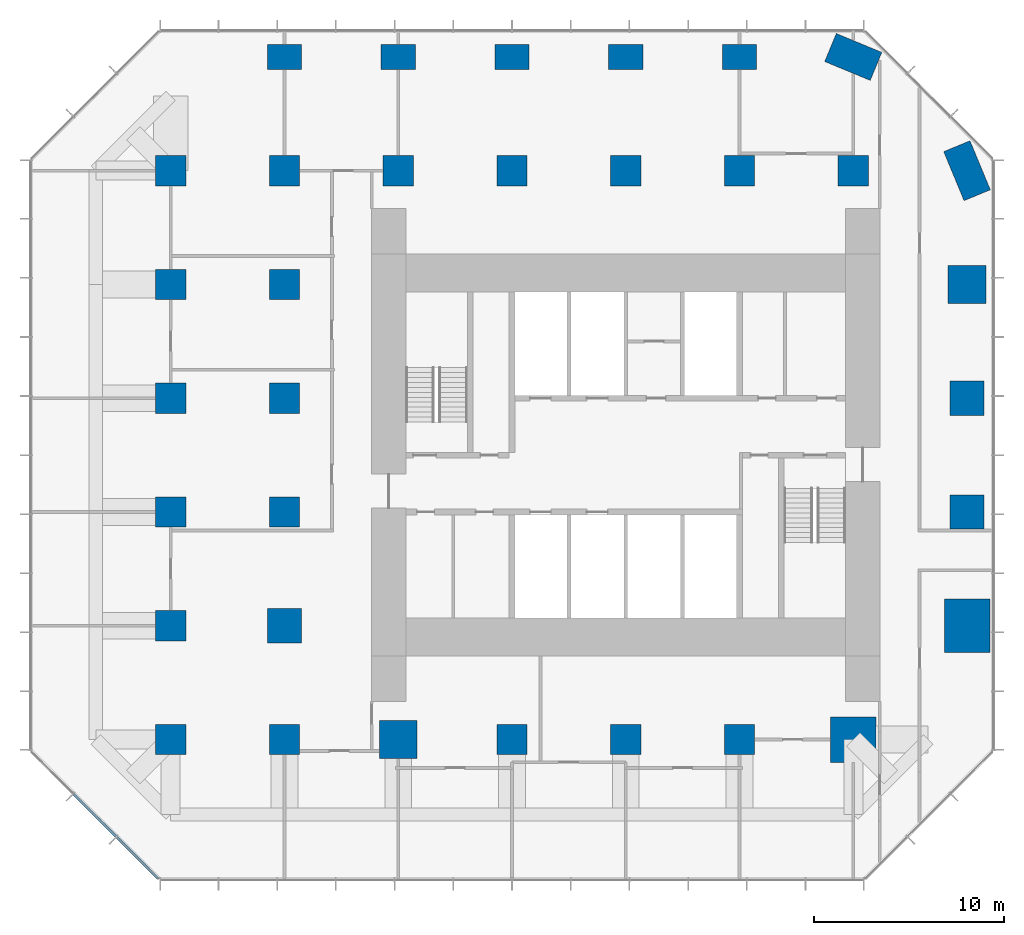
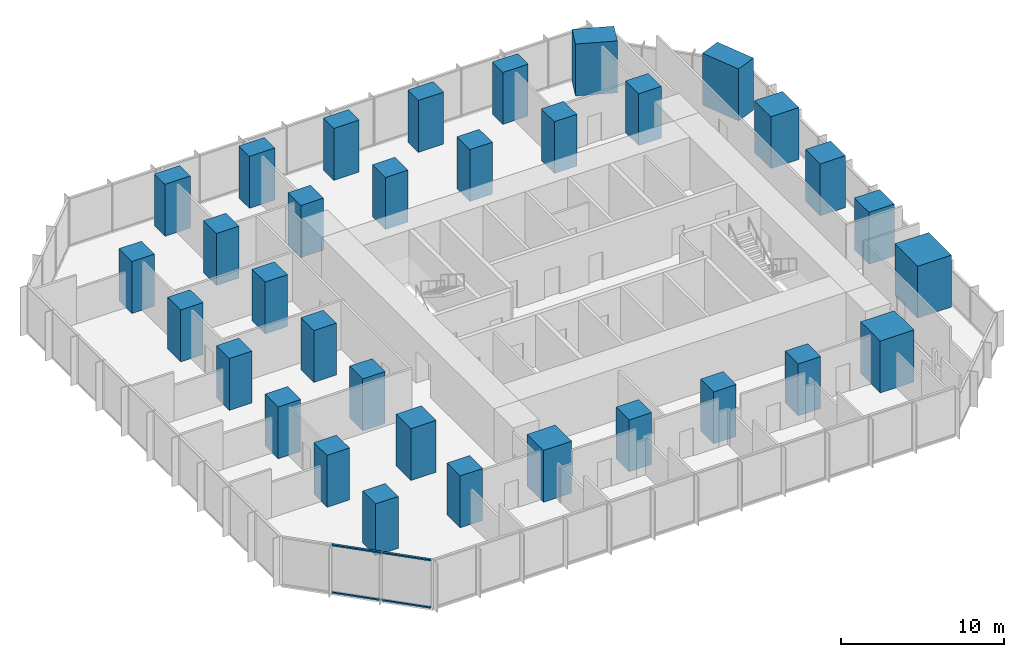
# One storey, part 1 of 13: 33 columns, 4 members, 1 element without a shape of its own.
"""IFC4 building model written with IfcOpenShell, lengths in metres."""

from ifc_helpers import new_model, si_unit, direction, frame, origin, origin_2d, place, context, subcontext, project, spatial, rectangle, extrude, material, layer, layer_set, material_profile, profile_set, type_object, element, aggregate, save


model = new_model("IFC4")

# Units and contexts
model_context = context("Model", 3, precision=1e-05, world=origin(), true_north=direction((0.0, 1.0)))
body_context = subcontext(model_context, "Body", "Model", "MODEL_VIEW")
ifc_project = project(units=[si_unit("LENGTHUNIT", "METRE"), si_unit("AREAUNIT", "SQUARE_METRE"), si_unit("VOLUMEUNIT", "CUBIC_METRE"), si_unit("PLANEANGLEUNIT", "RADIAN"), si_unit("MASSUNIT", "GRAM", prefix="KILO")], contexts=[model_context])

# Site, building, storey
site_placement = place(None, origin())
site = spatial("IfcSite", under=ifc_project, at=site_placement, CompositionType="ELEMENT")
building_placement = place(site_placement, origin())
building = spatial("IfcBuilding", under=site, at=building_placement, Name="Highveld Stack Headquarters", CompositionType="ELEMENT")
storey_placement = place(building_placement, frame((0.0, 0.0, 136.699951171875)))
storey = spatial("IfcBuildingStorey", under=building, at=storey_placement, Name="L33", CompositionType="ELEMENT", Elevation=136.699951171875)

# Columns
ifc_material_1 = material(Name="Concrete C60/75", Category="concrete")
ifc_material_profile_1 = material_profile(ifc_material_1, rectangle(XDim=1.60009765625, YDim=1.60009765625, at=origin_2d()), Name="RC 1600x1600")
ifc_profile_set_1 = profile_set([ifc_material_profile_1], Name="Concrete C60/75")
column_type_1 = type_object("IfcColumnType", Name="COLUMN RC 1600x1600 C60/75", PredefinedType="COLUMN", material=ifc_profile_set_1)
for number, where, z_axis, x_axis, name in (
    (1, (-18.0, -12.0, 0.0), (0.0, 0.0, 1.0), (1.0, 0.0, 0.0), "Column 3/C L33"),
    (2, (-18.0, -6.0, 0.0), (0.0, 0.0, 1.0), (1.0, 0.0, 0.0), "Column 3/D L33"),
    (3, (-18.0, 0.0, 0.0), (0.0, 0.0, 1.0), (1.0, 0.0, 0.0), "Column 3/E L33"),
    (4, (-18.0, 6.0, 0.0), (0.0, 0.0, 1.0), (1.0, 0.0, 0.0), "Column 3/F L33"),
    (5, (-18.0, 12.0, 0.0), (0.0, 0.0, 1.0), (1.0, 0.0, 0.0), "Column 3/G L33"),
    (6, (-18.0, 18.0, 0.0), (0.0, 0.0, 1.0), (1.0, 0.0, 0.0), "Column 3/H L33"),
    (7, (-12.0, -12.0, 0.0), (0.0, 0.0, 1.0), (1.0, 0.0, 0.0), "Column 4/C L33"),
    (8, (-12.0, 0.0, 0.0), (0.0, 0.0, 1.0), (1.0, 0.0, 0.0), "Column 4/E L33"),
    (9, (-12.0, 6.0, 0.0), (0.0, 0.0, 1.0), (1.0, 0.0, 0.0), "Column 4/F L33"),
    (10, (-12.0, 12.0, 0.0), (0.0, 0.0, 1.0), (1.0, 0.0, 0.0), "Column 4/G L33"),
    (11, (-12.0, 18.0, 0.0), (0.0, 0.0, 1.0), (1.0, 0.0, 0.0), "Column 4/H L33"),
    (12, (-6.0, 18.0, 0.0), (0.0, 0.0, 1.0), (1.0, 0.0, 0.0), "Column 5/H L33"),
    (13, (0.0, -12.0, 0.0), (0.0, 0.0, 1.0), (1.0, 0.0, 0.0), "Column 6/C L33"),
    (14, (0.0, 18.0, 0.0), (0.0, 0.0, 1.0), (1.0, 0.0, 0.0), "Column 6/H L33"),
    (15, (6.0, -12.0, 0.0), (0.0, 0.0, 1.0), (1.0, 0.0, 0.0), "Column 7/C L33"),
    (16, (6.0, 18.0, 0.0), (0.0, 0.0, 1.0), (1.0, 0.0, 0.0), "Column 7/H L33"),
    (17, (12.0, -12.0, 0.0), (0.0, 0.0, 1.0), (1.0, 0.0, 0.0), "Column 8/C L33"),
    (18, (12.0, 18.0, 0.0), (0.0, 0.0, 1.0), (1.0, 0.0, 0.0), "Column 8/H L33"),
    (19, (18.0, 18.0, 0.0), (0.0, 0.0, 1.0), (1.0, 0.0, 0.0), "Column 9/H L33"),
):
    element("IfcColumn", number, at=place(storey_placement, frame(where, z_axis=z_axis, x_axis=x_axis)), inside=storey, type_object=column_type_1, Name=name, PredefinedType="COLUMN", context=body_context, shape_type="SweptSolid", body=[
        extrude(rectangle(XDim=1.60009765625, YDim=1.60009765625, at=origin_2d()), origin(), (0.0, 0.0, 1.0), 3.900146484375),
    ])
ifc_material_2 = material(Name="Concrete C60/75", Category="concrete")
ifc_material_profile_2 = material_profile(ifc_material_2, rectangle(XDim=1.800048828125, YDim=1.300048828125, at=origin_2d()), Name="RC 1800x1300")
ifc_profile_set_2 = profile_set([ifc_material_profile_2], Name="Concrete C60/75")
column_type_2 = type_object("IfcColumnType", Name="COLUMN RC 1800x1300 C60/75", PredefinedType="COLUMN", material=ifc_profile_set_2)
for number, where, z_axis, x_axis, name in (
    (20, (-12.0, 24.0, 0.0), (0.0, 0.0, 1.0), (1.0, 0.0, 0.0), "Column 4/J L33"),
    (21, (-6.0, 24.0, 0.0), (0.0, 0.0, 1.0), (1.0, 0.0, 0.0), "Column 5/J L33"),
    (22, (0.0, 24.0, 0.0), (0.0, 0.0, 1.0), (1.0, 0.0, 0.0), "Column 6/J L33"),
    (23, (6.0, 24.0, 0.0), (0.0, 0.0, 1.0), (1.0, 0.0, 0.0), "Column 7/J L33"),
    (24, (12.0, 24.0, 0.0), (0.0, 0.0, 1.0), (1.0, 0.0, 0.0), "Column 8/J L33"),
):
    element("IfcColumn", number, at=place(storey_placement, frame(where, z_axis=z_axis, x_axis=x_axis)), inside=storey, type_object=column_type_2, Name=name, PredefinedType="COLUMN", context=body_context, shape_type="SweptSolid", body=[
        extrude(rectangle(XDim=1.800048828125, YDim=1.300048828125, at=origin_2d()), origin(), (0.0, 0.0, 1.0), 3.900146484375),
    ])
ifc_material_3 = material(Name="Concrete C60/75", Category="concrete")
ifc_material_profile_3 = material_profile(ifc_material_3, rectangle(XDim=1.800048828125, YDim=1.800048828125, at=origin_2d()), Name="RC 1800x1800")
ifc_profile_set_3 = profile_set([ifc_material_profile_3], Name="Concrete C60/75")
column_type_3 = type_object("IfcColumnType", Name="COLUMN RC 1800x1800 C60/75", PredefinedType="COLUMN", material=ifc_profile_set_3)
for number, where, z_axis, x_axis, name in (
    (25, (-12.0, -6.0, 0.0), (0.0, 0.0, 1.0), (1.0, 0.0, 0.0), "Column 4/D L33"),
    (26, (24.0, 0.0, 0.0), (0.0, 0.0, 1.0), (1.0, 0.0, 0.0), "Column 10/E L33"),
    (27, (24.0, 6.0, 0.0), (0.0, 0.0, 1.0), (1.0, 0.0, 0.0), "Column 10/F L33"),
):
    element("IfcColumn", number, at=place(storey_placement, frame(where, z_axis=z_axis, x_axis=x_axis)), inside=storey, type_object=column_type_3, Name=name, PredefinedType="COLUMN", context=body_context, shape_type="SweptSolid", body=[
        extrude(rectangle(XDim=1.800048828125, YDim=1.800048828125, at=origin_2d()), origin(), (0.0, 0.0, 1.0), 3.900146484375),
    ])
ifc_material_4 = material(Name="Concrete C60/75", Category="concrete")
ifc_material_profile_4 = material_profile(ifc_material_4, rectangle(XDim=2.0, YDim=2.0, at=origin_2d()), Name="RC 2000x2000")
ifc_profile_set_4 = profile_set([ifc_material_profile_4], Name="Concrete C60/75")
column_type_4 = type_object("IfcColumnType", Name="COLUMN RC 2000x2000 C60/75", PredefinedType="COLUMN", material=ifc_profile_set_4)
for number, where, z_axis, x_axis, name in (
    (28, (-6.0, -12.0, 0.0), (0.0, 0.0, 1.0), (1.0, 0.0, 0.0), "Column 5/C L33"),
    (29, (24.0, 12.0, 0.0), (0.0, 0.0, 1.0), (1.0, 0.0, 0.0), "Column 10/G L33"),
):
    element("IfcColumn", number, at=place(storey_placement, frame(where, z_axis=z_axis, x_axis=x_axis)), inside=storey, type_object=column_type_4, Name=name, PredefinedType="COLUMN", context=body_context, shape_type="SweptSolid", body=[
        extrude(rectangle(XDim=2.0, YDim=2.0, at=origin_2d()), origin(), (0.0, 0.0, 1.0), 3.900146484375),
    ])
ifc_material_5 = material(Name="Concrete C60/75", Category="concrete")
ifc_material_profile_5 = material_profile(ifc_material_5, rectangle(XDim=2.39990234375, YDim=2.39990234375, at=origin_2d()), Name="RC 2400x2400")
ifc_profile_set_5 = profile_set([ifc_material_profile_5], Name="Concrete C60/75")
column_type_5 = type_object("IfcColumnType", Name="COLUMN RC 2400x2400 C60/75", PredefinedType="COLUMN", material=ifc_profile_set_5)
column_1_placement = place(storey_placement, frame((18.0, -12.0, 0.0), z_axis=(0.0, 0.0, 1.0), x_axis=(1.0, 0.0, 0.0)))
element("IfcColumn", 30, at=column_1_placement, inside=storey, type_object=column_type_5, Name="Column 9/C L33", PredefinedType="COLUMN", context=body_context, shape_type="SweptSolid", body=[
    extrude(rectangle(XDim=2.39990234375, YDim=2.39990234375, at=origin_2d()), origin(), (0.0, 0.0, 1.0), 3.900146484375),
])
ifc_material_6 = material(Name="Concrete C60/75", Category="concrete")
ifc_material_profile_6 = material_profile(ifc_material_6, rectangle(XDim=2.60009765625, YDim=1.60009765625, at=origin_2d()), Name="RC 2600x1600")
ifc_profile_set_6 = profile_set([ifc_material_profile_6], Name="Concrete C60/75")
column_type_6 = type_object("IfcColumnType", Name="COLUMN RC 2600x1600 C60/75", PredefinedType="COLUMN", material=ifc_profile_set_6)
column_2_placement = place(storey_placement, frame((18.0, 24.0, 0.0), z_axis=(0.0, 0.0, 1.0), x_axis=(0.923879532511, -0.382683432365, 0.0)))
element("IfcColumn", 31, at=column_2_placement, inside=storey, type_object=column_type_6, Name="Column 9/J L33", PredefinedType="COLUMN", context=body_context, shape_type="SweptSolid", body=[
    extrude(rectangle(XDim=2.60009765625, YDim=1.60009765625, at=origin_2d()), origin(), (0.0, 0.0, 1.0), 3.900146484375),
])
ifc_material_7 = material(Name="Concrete C60/75", Category="concrete")
ifc_material_profile_7 = material_profile(ifc_material_7, rectangle(XDim=2.800048828125, YDim=1.5, at=origin_2d()), Name="RC 2800x1500")
ifc_profile_set_7 = profile_set([ifc_material_profile_7], Name="Concrete C60/75")
column_type_7 = type_object("IfcColumnType", Name="COLUMN RC 2800x1500 C60/75", PredefinedType="COLUMN", material=ifc_profile_set_7)
column_3_placement = place(storey_placement, frame((24.0, 18.0, 0.0), z_axis=(0.0, 0.0, 1.0), x_axis=(0.382683432365, -0.923879532511, 0.0)))
element("IfcColumn", 32, at=column_3_placement, inside=storey, type_object=column_type_7, Name="Column 10/H L33", PredefinedType="COLUMN", context=body_context, shape_type="SweptSolid", body=[
    extrude(rectangle(XDim=2.800048828125, YDim=1.5, at=origin_2d()), origin(), (0.0, 0.0, 1.0), 3.900146484375),
])
ifc_material_8 = material(Name="Concrete C60/75", Category="concrete")
ifc_material_profile_8 = material_profile(ifc_material_8, rectangle(XDim=2.800048828125, YDim=2.39990234375, at=origin_2d()), Name="RC 2800x2400")
ifc_profile_set_8 = profile_set([ifc_material_profile_8], Name="Concrete C60/75")
column_type_8 = type_object("IfcColumnType", Name="COLUMN RC 2800x2400 C60/75", PredefinedType="COLUMN", material=ifc_profile_set_8)
column_4_placement = place(storey_placement, frame((24.0, -6.0, 0.0), z_axis=(0.0, 0.0, 1.0), x_axis=(0.0, 1.0, 0.0)))
element("IfcColumn", 33, at=column_4_placement, inside=storey, type_object=column_type_8, Name="Column 10/D L33", PredefinedType="COLUMN", context=body_context, shape_type="SweptSolid", body=[
    extrude(rectangle(XDim=2.800048828125, YDim=2.39990234375, at=origin_2d()), origin(), (0.0, 0.0, 1.0), 3.900146484375),
])

# Curtain wall, members
ifc_material_9 = material(Name="Aluminium bronze anodised", Category="aluminium")
ifc_layer = layer(ifc_material_9, 0.199951171875)
ifc_layer_set = layer_set([ifc_layer], Name="Aluminium bronze anodised")
curtain_wall_type = type_object("IfcCurtainWallType", Name="CW2 TOWER CHAMFER UNITISED CURTAIN WALL", PredefinedType="NOTDEFINED", material=ifc_layer_set)
curtain_wall_placement = place(storey_placement, origin())
curtain_wall = element("IfcCurtainWall", 34, at=curtain_wall_placement, inside=storey, type_object=curtain_wall_type, Name="Curtain wall CW2 L33 SW", PredefinedType="NOTDEFINED")
ifc_material_10 = material(Name="Aluminium bronze anodised", Category="aluminium")
ifc_material_profile_9 = material_profile(ifc_material_10, rectangle(XDim=0.14990234375, YDim=0.10009765625, at=origin_2d()), Name="CW2 TRANSOM 150x100")
ifc_profile_set_9 = profile_set([ifc_material_profile_9], Name="Aluminium bronze anodised")
member_type = type_object("IfcMemberType", Name="CW2 STACK TRANSOM 150x100", PredefinedType="USERDEFINED", material=ifc_profile_set_9)
member_1_placement = place(storey_placement, frame((-23.103759765625, -14.876220703125, 0.050048828125), z_axis=(0.707106781187, -0.707106781187, 0.0), x_axis=(0.707106781187, 0.707106781187, 0.0)))
member_1 = element("IfcMember", 35, at=member_1_placement, type_object=member_type, Name="CW2 transom L33 2.1", ObjectType="TRANSOM", PredefinedType="USERDEFINED", context=body_context, shape_type="SweptSolid", body=[
    extrude(rectangle(XDim=0.14990234375, YDim=0.10009765625, at=origin_2d()), origin(), (0.0, 0.0, 1.0), 3.150146484375),
])
member_2_placement = place(storey_placement, frame((-23.103759765625, -14.876220703125, 3.60009765625), z_axis=(0.707106781187, -0.707106781187, 0.0), x_axis=(0.707106781187, 0.707106781187, 0.0)))
member_2 = element("IfcMember", 36, at=member_2_placement, type_object=member_type, Name="CW2 transom L33 2.2", ObjectType="TRANSOM", PredefinedType="USERDEFINED", context=body_context, shape_type="SweptSolid", body=[
    extrude(rectangle(XDim=0.14990234375, YDim=0.10009765625, at=origin_2d()), origin(), (0.0, 0.0, 1.0), 3.150146484375),
])
member_3_placement = place(storey_placement, frame((-20.830322265625, -17.149658203125, 0.050048828125), z_axis=(0.707106781187, -0.707106781187, 0.0), x_axis=(0.707106781187, 0.707106781187, 0.0)))
member_3 = element("IfcMember", 37, at=member_3_placement, type_object=member_type, Name="CW2 transom L33 3.1", ObjectType="TRANSOM", PredefinedType="USERDEFINED", context=body_context, shape_type="SweptSolid", body=[
    extrude(rectangle(XDim=0.14990234375, YDim=0.10009765625, at=origin_2d()), origin(), (0.0, 0.0, 1.0), 3.08251953125),
])
member_4_placement = place(storey_placement, frame((-20.830322265625, -17.149658203125, 3.60009765625), z_axis=(0.707106781187, -0.707106781187, 0.0), x_axis=(0.707106781187, 0.707106781187, 0.0)))
member_4 = element("IfcMember", 38, at=member_4_placement, type_object=member_type, Name="CW2 transom L33 3.2", ObjectType="TRANSOM", PredefinedType="USERDEFINED", context=body_context, shape_type="SweptSolid", body=[
    extrude(rectangle(XDim=0.14990234375, YDim=0.10009765625, at=origin_2d()), origin(), (0.0, 0.0, 1.0), 3.08251953125),
])
aggregate(curtain_wall, [member_1, member_2, member_3, member_4])

save(model, "model.ifc")
